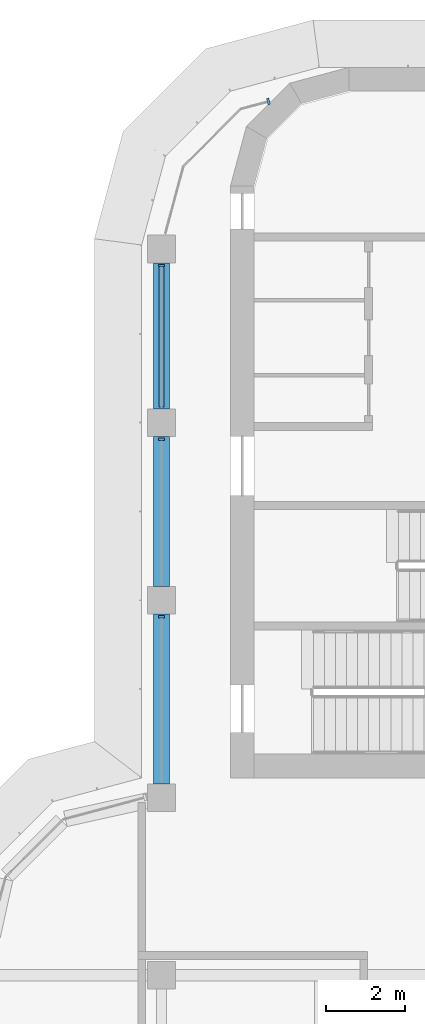
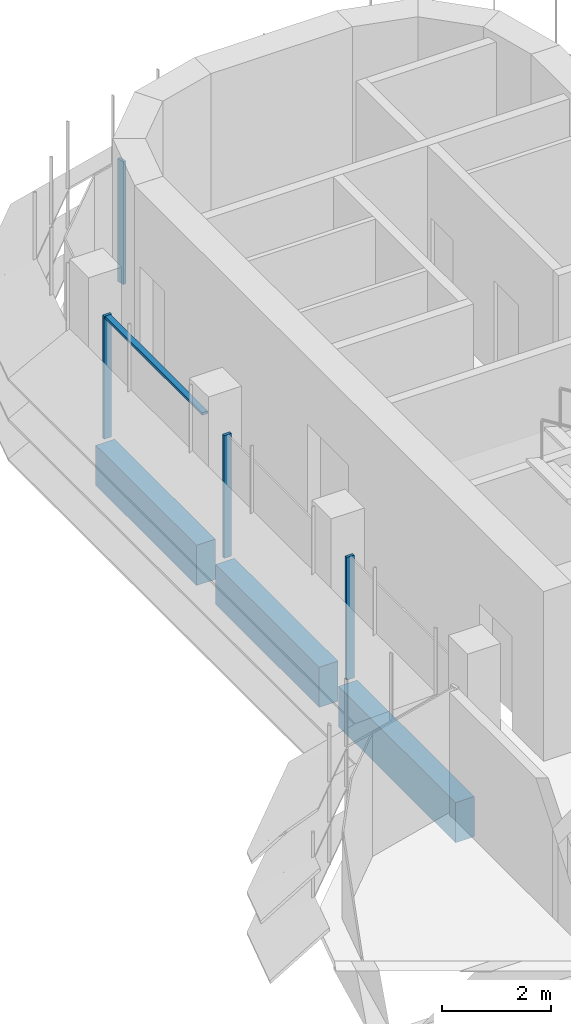
# One storey, part 7 of 19: 5 members, 3 beams, 2 elements without a shape of their own.
"""IFC4 building model written with IfcOpenShell, lengths in metres."""

from ifc_helpers import new_model, si_unit, direction, frame, origin, origin_2d, place, context, subcontext, project, spatial, polyline, rectangle, outline, extrude, source, transform, mapped, material, material_profile, profile_set, type_object, element, aggregate, save


model = new_model("IFC4")

# Units and contexts
model_context = context("Model", 3, precision=1e-05, world=origin(), true_north=direction((0.0, 1.0)))
body_context = subcontext(model_context, "Body", "Model", "MODEL_VIEW")
ifc_project = project(units=[si_unit("LENGTHUNIT", "METRE"), si_unit("AREAUNIT", "SQUARE_METRE"), si_unit("VOLUMEUNIT", "CUBIC_METRE"), si_unit("PLANEANGLEUNIT", "RADIAN"), si_unit("MASSUNIT", "GRAM", prefix="KILO")], contexts=[model_context])

# Site, building, storey
site_placement = place(None, origin())
site = spatial("IfcSite", under=ifc_project, at=site_placement, CompositionType="ELEMENT")
building_placement = place(site_placement, origin())
building = spatial("IfcBuilding", under=site, at=building_placement, Name="Zarbagh Exchange Tower", CompositionType="ELEMENT")
storey_placement = place(building_placement, frame((0.0, 0.0, 222.0)))
storey = spatial("IfcBuildingStorey", under=building, at=storey_placement, Name="L54", CompositionType="ELEMENT", Elevation=222.0)

# Beams
ifc_material_1 = material(Name="Concrete C50/60", Category="concrete")
ifc_material_profile = material_profile(ifc_material_1, rectangle(XDim=0.39990234375, YDim=0.89990234375, at=origin_2d()), Name="RC spandrel beam 400 x 900 C50/60")
ifc_profile_set = profile_set([ifc_material_profile], Name="Concrete C50/60")
beam_type = type_object("IfcBeamType", Name="RC spandrel beam 400 x 900 C50/60", PredefinedType="SPANDREL", material=ifc_profile_set)
beam_1_placement = place(storey_placement, frame((-6.25, 11.10009765625, -0.60009765625), z_axis=(0.0, 1.0, 0.0), x_axis=(-1.0, 0.0, 0.0)))
element("IfcBeam", 1, at=beam_1_placement, inside=storey, type_object=beam_type, Name="RC spandrel beam", PredefinedType="SPANDREL", context=body_context, shape_type="SweptSolid", body=[
    extrude(rectangle(XDim=0.39990234375, YDim=0.89990234375, at=origin_2d()), origin(), (0.0, 0.0, 1.0), 4.2998046875),
])
beam_2_placement = place(storey_placement, frame((-6.25, 16.10009765625, -0.60009765625), z_axis=(0.0, 1.0, 0.0), x_axis=(-1.0, 0.0, 0.0)))
element("IfcBeam", 2, at=beam_2_placement, inside=storey, type_object=beam_type, Name="RC spandrel beam", PredefinedType="SPANDREL", context=body_context, shape_type="SweptSolid", body=[
    extrude(rectangle(XDim=0.39990234375, YDim=0.89990234375, at=origin_2d()), origin(), (0.0, 0.0, 1.0), 3.7998046875),
])
beam_3_placement = place(storey_placement, frame((-6.25, 20.60009765625, -0.60009765625), z_axis=(0.0, 1.0, 0.0), x_axis=(-1.0, 0.0, 0.0)))
element("IfcBeam", 3, at=beam_3_placement, inside=storey, type_object=beam_type, Name="RC spandrel beam", PredefinedType="SPANDREL", context=body_context, shape_type="SweptSolid", body=[
    extrude(rectangle(XDim=0.39990234375, YDim=0.89990234375, at=origin_2d()), origin(), (0.0, 0.0, 1.0), 3.699951171875),
])

# Curtain wall, member
ifc_material_2 = material(Name="Anodised aluminium frame and glazing", Category="aluminium")
curtain_wall_type = type_object("IfcCurtainWallType", Name="CWB Ribbon glazing, upper zones", PredefinedType="NOTDEFINED", material=ifc_material_2)
curtain_wall_1_placement = place(storey_placement, origin())
curtain_wall_1 = element("IfcCurtainWall", 4, at=curtain_wall_1_placement, inside=storey, type_object=curtain_wall_type, Name="CWB70 curtain wall", PredefinedType="NOTDEFINED")
ifc_material_3 = material(Name="Anodised aluminium frame", Category="aluminium")
member_type_1 = type_object("IfcMemberType", Name="MUB Mullion, anodised aluminium frame", PredefinedType="MULLION", material=ifc_material_3)
shared_shape_1 = source(origin(), body_context, "Body", "SweptSolid", [
    extrude(outline(polyline([(0.0, -0.080078125), (0.06005859375, -0.080078125), (0.06005859375, 0.080078125), (0.0, 0.080078125), (0.0, -0.080078125)])), origin(), (0.0, 0.0, 1.0), 2.75),
])
placement = place(storey_placement, origin())
member_1 = element("IfcMember", 5, at=placement, type_object=member_type_1, Name="CWB70 mullion 1.1", PredefinedType="MULLION", context=body_context, shape_type="MappedRepresentation", body=[
    mapped(shared_shape_1, transform((-3.510009765625, 28.394775390625, 0.0), x_axis=(-0.965924289636, -0.258824779902, 0.0), y_axis=(0.258824779902, -0.965924289636, 0.0), z_axis=(0.0, 0.0, 1.0))),
])
aggregate(curtain_wall_1, [member_1])

# Curtain wall, members
curtain_wall_2_placement = place(storey_placement, origin())
curtain_wall_2 = element("IfcCurtainWall", 6, at=curtain_wall_2_placement, inside=storey, type_object=curtain_wall_type, Name="CWB73 curtain wall", PredefinedType="NOTDEFINED")
member_2 = element("IfcMember", 7, at=placement, type_object=member_type_1, Name="CWB73 mullion 1.1", PredefinedType="MULLION", context=body_context, shape_type="MappedRepresentation", body=[
    mapped(shared_shape_1, transform((-6.25, 24.260009765625, 0.0), x_axis=(0.0, -1.0, 0.0), y_axis=(1.0, 0.0, 0.0), z_axis=(0.0, 0.0, 1.0))),
])
member_3 = element("IfcMember", 8, at=placement, type_object=member_type_1, Name="CWB73 mullion 2.1", PredefinedType="MULLION", context=body_context, shape_type="MappedRepresentation", body=[
    mapped(shared_shape_1, transform((-6.25, 19.85986328125, 0.0), x_axis=(0.0, -1.0, 0.0), y_axis=(1.0, 0.0, 0.0), z_axis=(0.0, 0.0, 1.0))),
])
member_4 = element("IfcMember", 9, at=placement, type_object=member_type_1, Name="CWB73 mullion 3.1", PredefinedType="MULLION", context=body_context, shape_type="MappedRepresentation", body=[
    mapped(shared_shape_1, transform((-6.25, 15.35986328125, 0.0), x_axis=(0.0, -1.0, 0.0), y_axis=(1.0, 0.0, 0.0), z_axis=(0.0, 0.0, 1.0))),
])
member_type_2 = type_object("IfcMemberType", Name="TRB Transom, anodised aluminium frame", PredefinedType="USERDEFINED", material=ifc_material_3)
shared_shape_2 = source(origin(), body_context, "Body", "SweptSolid", [
    extrude(outline(polyline([(-0.06005859375, -0.06005859375), (0.0, -0.06005859375), (0.0, 0.06005859375), (-0.06005859375, 0.06005859375), (-0.06005859375, -0.06005859375)])), origin(), (0.0, 0.0, 1.0), 3.56005859375),
])
member_5 = element("IfcMember", 10, at=placement, type_object=member_type_2, Name="CWB73 transom 1.1", ObjectType="TRANSOM", PredefinedType="USERDEFINED", context=body_context, shape_type="MappedRepresentation", body=[
    mapped(shared_shape_2, transform((-6.25, 24.199951171875, 2.75), x_axis=(0.0, 0.0, 1.0), y_axis=(-1.0, 0.0, 0.0), z_axis=(0.0, -1.0, 0.0))),
])
aggregate(curtain_wall_2, [member_2, member_5, member_3, member_4])

save(model, "model.ifc")
